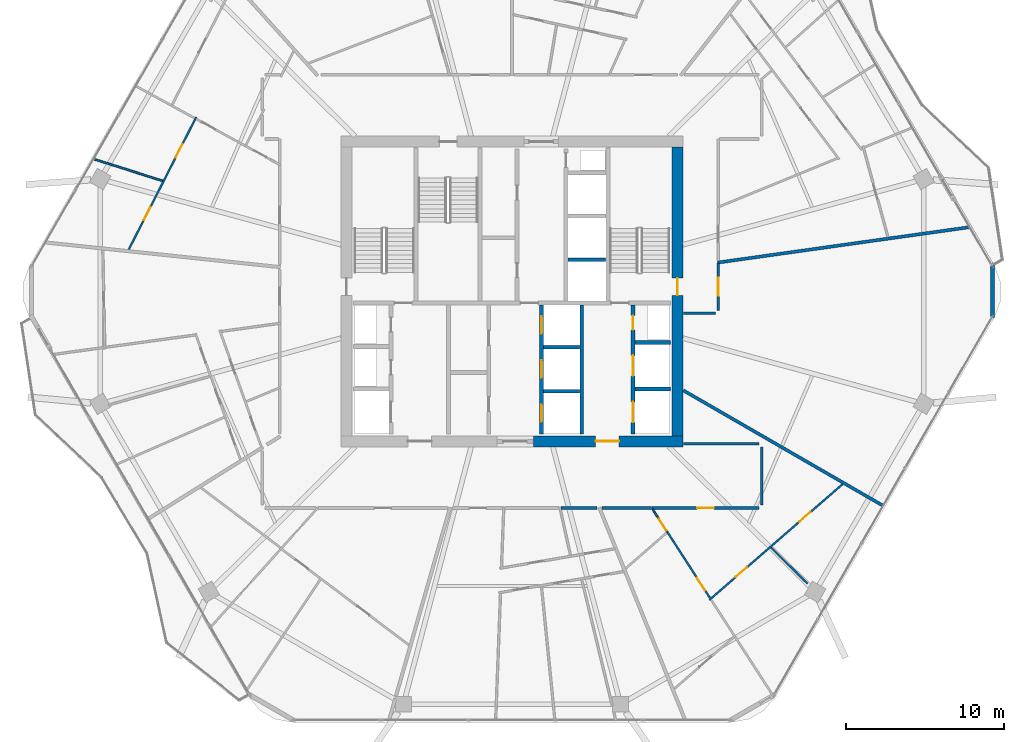
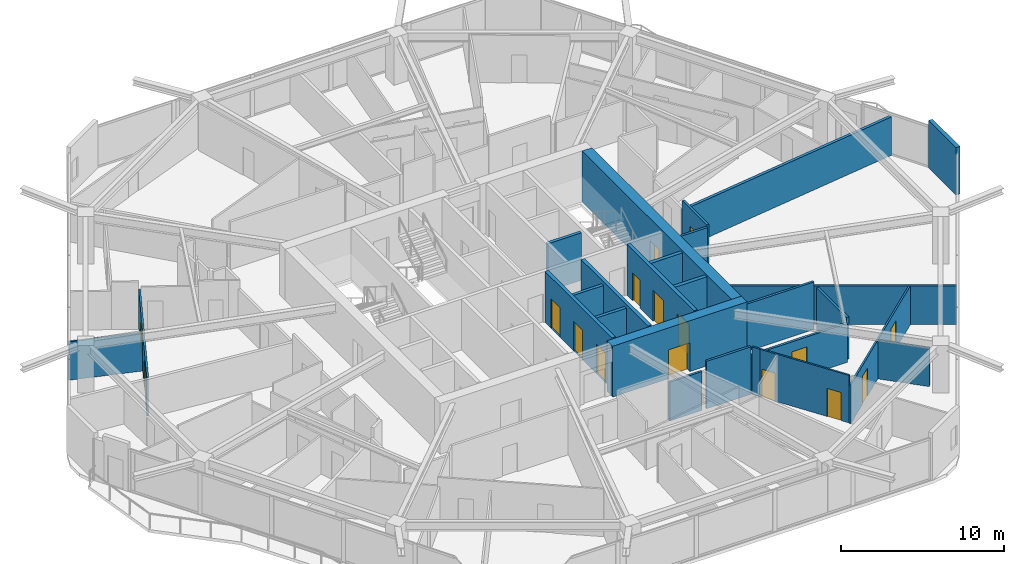
# One storey, part 20 of 26: 27 walls, 16 doors, 16 openings.
"""IFC4 building model written with IfcOpenShell, lengths in metres."""

from ifc_helpers import new_model, si_unit, direction, frame, frame_2d, origin, place, context, subcontext, project, spatial, rectangle, extrude, material, layer, layer_set, type_object, element, fill, save


model = new_model("IFC4")

# Units and contexts
model_context = context("Model", 3, precision=1e-05, world=origin(), true_north=direction((0.0, 1.0)))
body_context = subcontext(model_context, "Body", "Model", "MODEL_VIEW")
ifc_project = project(units=[si_unit("LENGTHUNIT", "METRE"), si_unit("AREAUNIT", "SQUARE_METRE"), si_unit("VOLUMEUNIT", "CUBIC_METRE"), si_unit("PLANEANGLEUNIT", "RADIAN"), si_unit("MASSUNIT", "GRAM", prefix="KILO")], contexts=[model_context])

# Site, building, storey
site_placement = place(None, origin())
site = spatial("IfcSite", under=ifc_project, at=site_placement, CompositionType="ELEMENT")
building_placement = place(site_placement, origin())
building = spatial("IfcBuilding", under=site, at=building_placement, Name="Zuhravey Tower", CompositionType="ELEMENT")
storey_placement = place(building_placement, frame((0.0, 0.0, 158.0)))
storey = spatial("IfcBuildingStorey", under=building, at=storey_placement, Name="L39", CompositionType="ELEMENT", Elevation=158.0)

# Wall, opening, door
ifc_material_1 = material(Name="Concrete C60/75", Category="concrete")
ifc_layer_1 = layer(ifc_material_1, 0.699951171875)
ifc_layer_set_1 = layer_set([ifc_layer_1], Name="Concrete C60/75")
wall_type_1 = type_object("IfcWallType", Name="Core Shear Wall 700", PredefinedType="SHEAR", material=ifc_layer_set_1)
wall_1_placement = place(storey_placement, frame((37.35009765625, 22.5, 0.0), z_axis=(0.0, 0.0, 1.0), x_axis=(1.0, 0.0, 0.0)))
wall_1 = element("IfcWall", 1, at=wall_1_placement, inside=storey, type_object=wall_type_1, Name="L39 South-East Core Shear Wall CW70", PredefinedType="SHEAR", context=body_context, shape_type="SweptSolid", body=[
    extrude(rectangle(XDim=9.5, YDim=0.699951171875, at=frame_2d((4.75, 0.0))), origin(), (0.0, 0.0, 1.0), 3.800048828125),
])
opening_1_placement = place(wall_1_placement, frame((3.949951171875, 0.0, 0.0)))
opening_1 = element("IfcOpeningElement", 2, at=opening_1_placement, cuts=wall_1, Name="Opening FFD1", PredefinedType="OPENING", context=body_context, shape_type="SweptSolid", body=[
    extrude(rectangle(XDim=1.5, YDim=2.14990234375, at=frame_2d((0.75, 1.074951171875))), frame((0.0, 0.362060546875, 0.0), z_axis=(0.0, -1.0, 0.0), x_axis=(1.0, 0.0, 0.0)), (0.0, 0.0, 1.0), 0.723876953125),
])
ifc_material_2 = material(Name="Galvanised fire-rated steel leaf", Category="steel")
door_type_1 = type_object("IfcDoorType", Name="Firefighting Lobby Double Door 1500x2150", OperationType="DOUBLE_DOOR_SINGLE_SWING", PredefinedType="DOOR", material=ifc_material_2)
door_1_placement = place(opening_1_placement, origin())
door_1 = element("IfcDoor", 3, at=door_1_placement, inside=storey, type_object=door_type_1, Name="L39 Firefighting Lobby East Door", OperationType="DOUBLE_DOOR_SINGLE_SWING", OverallHeight=2.14990234375, OverallWidth=1.5, PredefinedType="DOOR", context=body_context, shape_type="SweptSolid", body=[
    extrude(rectangle(XDim=1.5, YDim=2.14990234375, at=frame_2d((0.75, 1.074951171875))), frame((0.0, 0.02490234375, 0.0), z_axis=(0.0, -1.0, 0.0), x_axis=(1.0, 0.0, 0.0)), (0.0, 0.0, 1.0), 0.050048828125),
])
fill(opening_1, door_1)

wall_2_placement = place(storey_placement, frame((46.5, 22.85009765625, 0.0), z_axis=(0.0, 0.0, 1.0), x_axis=(0.0, 1.0, 0.0)))
wall_2 = element("IfcWall", 4, at=wall_2_placement, inside=storey, type_object=wall_type_1, Name="L39 East Core Shear Wall CW70", PredefinedType="SHEAR", context=body_context, shape_type="SweptSolid", body=[
    extrude(rectangle(XDim=18.2998046875, YDim=0.699951171875, at=frame_2d((9.14990234375, 0.0))), origin(), (0.0, 0.0, 1.0), 3.800048828125),
])
opening_2_placement = place(wall_2_placement, frame((8.89990234375, 0.0, 0.0)))
opening_2 = element("IfcOpeningElement", 5, at=opening_2_placement, cuts=wall_2, Name="Opening STD1", PredefinedType="OPENING", context=body_context, shape_type="SweptSolid", body=[
    extrude(rectangle(XDim=1.10009765625, YDim=2.14990234375, at=frame_2d((0.550048828125, 1.074951171875))), frame((0.0, 0.362060546875, 0.0), z_axis=(0.0, -1.0, 0.0), x_axis=(1.0, 0.0, 0.0)), (0.0, 0.0, 1.0), 0.723876953125),
])
door_type_2 = type_object("IfcDoorType", Name="Protected Stair Fire Door 1100x2150", OperationType="NOTDEFINED", PredefinedType="USERDEFINED", material=ifc_material_2)
door_2_placement = place(opening_2_placement, origin())
door_2 = element("IfcDoor", 6, at=door_2_placement, inside=storey, type_object=door_type_2, Name="L39 Stair ST2 Door", ObjectType="EXITDOOR", OperationType="SINGLE_SWING_RIGHT", OverallHeight=2.14990234375, OverallWidth=1.10009765625, PredefinedType="USERDEFINED", context=body_context, shape_type="SweptSolid", body=[
    extrude(rectangle(XDim=1.10009765625, YDim=2.14990234375, at=frame_2d((0.550048828125, 1.074951171875))), frame((0.0, 0.02490234375, 0.0), z_axis=(0.0, -1.0, 0.0), x_axis=(1.0, 0.0, 0.0)), (0.0, 0.0, 1.0), 0.050048828125),
])
fill(opening_2, door_2)

ifc_material_3 = material(Name="Gypsum fire-rated stud partition")
ifc_layer_2 = layer(ifc_material_3, 0.159912109375)
ifc_layer_set_2 = layer_set([ifc_layer_2], Name="Gypsum fire-rated stud partition")
wall_type_2 = type_object("IfcWallType", Name="Corridor Fire Partition 160", PredefinedType="PARTITIONING", material=ifc_layer_set_2)
wall_3_placement = place(storey_placement, frame((44.892578125, 18.27001953125, 0.0), z_axis=(0.0, 0.0, 1.0), x_axis=(1.0, 0.0, 0.0)))
wall_3 = element("IfcWall", 7, at=wall_3_placement, inside=storey, type_object=wall_type_2, Name="L39 IW16 Partition 054", PredefinedType="PARTITIONING", context=body_context, shape_type="SweptSolid", body=[
    extrude(rectangle(XDim=6.75732421875, YDim=0.159912109375, at=frame_2d((3.378662109375, 0.0))), origin(), (0.0, 0.0, 1.0), 2.89990234375),
])
opening_3_placement = place(wall_3_placement, frame((2.853759765625, 0.0, 0.0)))
opening_3 = element("IfcOpeningElement", 8, at=opening_3_placement, cuts=wall_3, Name="Opening APD1", PredefinedType="OPENING", context=body_context, shape_type="SweptSolid", body=[
    extrude(rectangle(XDim=1.050048828125, YDim=2.14990234375, at=frame_2d((0.52490234375, 1.074951171875))), frame((0.0, 0.092041015625, 0.0), z_axis=(0.0, -1.0, 0.0), x_axis=(1.0, 0.0, 0.0)), (0.0, 0.0, 1.0), 0.183837890625),
])
ifc_material_4 = material(Name="Solid-core oak fire-rated leaf")
door_type_3 = type_object("IfcDoorType", Name="Apartment Entrance Fire Door 1050x2150", OperationType="NOTDEFINED", PredefinedType="DOOR", material=ifc_material_4)
door_3_placement = place(opening_3_placement, origin())
door_3 = element("IfcDoor", 9, at=door_3_placement, inside=storey, type_object=door_type_3, Name="L39 Door 054.1", OperationType="SINGLE_SWING_RIGHT", OverallHeight=2.14990234375, OverallWidth=1.050048828125, PredefinedType="DOOR", context=body_context, shape_type="SweptSolid", body=[
    extrude(rectangle(XDim=1.050048828125, YDim=2.14990234375, at=frame_2d((0.52490234375, 1.074951171875))), frame((0.0, 0.02490234375, 0.0), z_axis=(0.0, -1.0, 0.0), x_axis=(1.0, 0.0, 0.0)), (0.0, 0.0, 1.0), 0.050048828125),
])
fill(opening_3, door_3)

wall_4_placement = place(storey_placement, frame((49.080078125, 30.800048828125, 0.0), z_axis=(0.0, 0.0, 1.0), x_axis=(0.0, 1.0, 0.0)))
wall_4 = element("IfcWall", 10, at=wall_4_placement, inside=storey, type_object=wall_type_2, Name="L39 IW16 Partition 055", PredefinedType="PARTITIONING", context=body_context, shape_type="SweptSolid", body=[
    extrude(rectangle(XDim=3.01806640625, YDim=0.159912109375, at=frame_2d((1.509033203125, 0.0))), origin(), (0.0, 0.0, 1.0), 3.550048828125),
])
opening_4_placement = place(wall_4_placement, frame((0.93408203125, 0.0, 0.0)))
opening_4 = element("IfcOpeningElement", 11, at=opening_4_placement, cuts=wall_4, Name="Opening CLD1", PredefinedType="OPENING", context=body_context, shape_type="SweptSolid", body=[
    extrude(rectangle(XDim=1.14990234375, YDim=2.199951171875, at=frame_2d((0.574951171875, 1.10009765625))), frame((0.0, 0.092041015625, 0.0), z_axis=(0.0, -1.0, 0.0), x_axis=(1.0, 0.0, 0.0)), (0.0, 0.0, 1.0), 0.183837890625),
])
ifc_material_5 = material(Name="Acoustic timber leaf with vision lite", Category="wood")
door_type_4 = type_object("IfcDoorType", Name="Classroom Acoustic Door 1150x2200", OperationType="NOTDEFINED", PredefinedType="DOOR", material=ifc_material_5)
door_4_placement = place(opening_4_placement, frame((1.14990234375, 0.0, 0.0), z_axis=(0.0, 0.0, 1.0), x_axis=(-1.0, 0.0, 0.0)))
door_4 = element("IfcDoor", 12, at=door_4_placement, inside=storey, type_object=door_type_4, Name="L39 Door 055.1", OperationType="SINGLE_SWING_LEFT", OverallHeight=2.199951171875, OverallWidth=1.14990234375, PredefinedType="DOOR", context=body_context, shape_type="SweptSolid", body=[
    extrude(rectangle(XDim=1.14990234375, YDim=2.199951171875, at=frame_2d((0.574951171875, 1.10009765625))), frame((0.0, 0.02490234375, 0.0), z_axis=(0.0, -1.0, 0.0), x_axis=(1.0, 0.0, 0.0)), (0.0, 0.0, 1.0), 0.050048828125),
])
fill(opening_4, door_4)

# Walls
wall_5_placement = place(storey_placement, frame((39.114013671875, 18.27001953125, 0.0), z_axis=(0.0, 0.0, 1.0), x_axis=(1.0, 0.0, 0.0)))
element("IfcWall", 13, at=wall_5_placement, inside=storey, type_object=wall_type_2, Name="L39 IW16 Partition 128", PredefinedType="PARTITIONING", context=body_context, shape_type="SweptSolid", body=[
    extrude(rectangle(XDim=2.27294921875, YDim=0.159912109375, at=frame_2d((1.136474609375, 0.0))), origin(), (0.0, 0.0, 1.0), 2.89990234375),
])
wall_6_placement = place(storey_placement, frame((51.64990234375, 22.330078125, 0.0), z_axis=(0.0, 0.0, 1.0), x_axis=(-1.0, 0.0, 0.0)))
element("IfcWall", 14, at=wall_6_placement, inside=storey, type_object=wall_type_2, Name="L39 IW16 Partition 129", PredefinedType="PARTITIONING", context=body_context, shape_type="SweptSolid", body=[
    extrude(rectangle(XDim=4.77978515625, YDim=0.159912109375, at=frame_2d((2.389892578125, 0.0))), origin(), (0.0, 0.0, 1.0), 3.550048828125),
])
wall_7_placement = place(storey_placement, frame((51.830078125, 18.449951171875, 0.0), z_axis=(0.0, 0.0, 1.0), x_axis=(0.0, 1.0, 0.0)))
element("IfcWall", 15, at=wall_7_placement, inside=storey, type_object=wall_type_2, Name="L39 IW16 Partition 130", PredefinedType="PARTITIONING", context=body_context, shape_type="SweptSolid", body=[
    extrude(rectangle(XDim=3.699951171875, YDim=0.159912109375, at=frame_2d((1.85009765625, 0.0))), origin(), (0.0, 0.0, 1.0), 3.14990234375),
])
wall_8_placement = place(storey_placement, frame((41.708740234375, 18.27001953125, 0.0), z_axis=(0.0, 0.0, 1.0), x_axis=(1.0, 0.0, 0.0)))
element("IfcWall", 16, at=wall_8_placement, inside=storey, type_object=wall_type_2, Name="L39 IW16 Partition 131", PredefinedType="PARTITIONING", context=body_context, shape_type="SweptSolid", body=[
    extrude(rectangle(XDim=3.13623046875, YDim=0.159912109375, at=frame_2d((1.568115234375, 0.0))), origin(), (0.0, 0.0, 1.0), 3.550048828125),
])
wall_9_placement = place(storey_placement, frame((46.8701171875, 30.6201171875, 0.0), z_axis=(0.0, 0.0, 1.0), x_axis=(1.0, 0.0, 0.0)))
element("IfcWall", 17, at=wall_9_placement, inside=storey, type_object=wall_type_2, Name="L39 IW16 Partition 132", PredefinedType="PARTITIONING", context=body_context, shape_type="SweptSolid", body=[
    extrude(rectangle(XDim=2.02978515625, YDim=0.159912109375, at=frame_2d((1.014892578125, 0.0))), origin(), (0.0, 0.0, 1.0), 3.550048828125),
])
ifc_material_6 = material(Name="Precast concrete C40/50", Category="concrete")
ifc_layer_3 = layer(ifc_material_6, 0.280029296875)
ifc_layer_set_3 = layer_set([ifc_layer_3], Name="Precast concrete C40/50")
wall_type_3 = type_object("IfcWallType", Name="Crown Architectural Wall 280", PredefinedType="SOLIDWALL", material=ifc_layer_set_3)
wall_10_placement = place(storey_placement, frame((66.4716796875, 33.6826171875, 0.0), z_axis=(0.0, 0.0, 1.0), x_axis=(0.0, -1.0, 0.0)))
element("IfcWall", 18, at=wall_10_placement, inside=storey, type_object=wall_type_3, Name="L39 Rounded Corner Closure Wall EW28-12", PredefinedType="SOLIDWALL", context=body_context, shape_type="SweptSolid", body=[
    extrude(rectangle(XDim=3.365234375, YDim=0.280029296875, at=frame_2d((1.6826171875, 0.0))), origin(), (0.0, 0.0, 1.0), 3.550048828125),
])

# Wall, openings, doors
ifc_material_7 = material(Name="Concrete C50/60", Category="concrete")
ifc_layer_4 = layer(ifc_material_7, 0.25)
ifc_layer_set_4 = layer_set([ifc_layer_4], Name="Concrete C50/60")
wall_type_4 = type_object("IfcWallType", Name="Firefighting Shaft & Stair Wall 250", PredefinedType="SOLIDWALL", material=ifc_layer_set_4)
wall_11_placement = place(storey_placement, frame((37.875, 22.949951171875, 0.0), z_axis=(0.0, 0.0, 1.0), x_axis=(0.0, 1.0, 0.0)))
wall_11 = element("IfcWall", 19, at=wall_11_placement, inside=storey, type_object=wall_type_4, Name="L39 FW25 Shaft Wall 015", PredefinedType="SOLIDWALL", context=body_context, shape_type="SweptSolid", body=[
    extrude(rectangle(XDim=8.199951171875, YDim=0.25, at=frame_2d((4.10009765625, 0.0))), origin(), (0.0, 0.0, 1.0), 3.800048828125),
])
opening_5_placement = place(wall_11_placement, frame((0.77490234375, 0.0, 0.0)))
opening_5 = element("IfcOpeningElement", 20, at=opening_5_placement, cuts=wall_11, Name="Opening LD1", PredefinedType="OPENING", context=body_context, shape_type="SweptSolid", body=[
    extrude(rectangle(XDim=1.10009765625, YDim=2.199951171875, at=frame_2d((0.550048828125, 1.10009765625))), frame((0.0, 0.136962890625, 0.0), z_axis=(0.0, -1.0, 0.0), x_axis=(1.0, 0.0, 0.0)), (0.0, 0.0, 1.0), 0.27392578125),
])
opening_6_placement = place(wall_11_placement, frame((3.574951171875, 0.0, 0.0)))
opening_6 = element("IfcOpeningElement", 21, at=opening_6_placement, cuts=wall_11, Name="Opening LD1", PredefinedType="OPENING", context=body_context, shape_type="SweptSolid", body=[
    extrude(rectangle(XDim=1.10009765625, YDim=2.199951171875, at=frame_2d((0.550048828125, 1.10009765625))), frame((0.0, 0.136962890625, 0.0), z_axis=(0.0, -1.0, 0.0), x_axis=(1.0, 0.0, 0.0)), (0.0, 0.0, 1.0), 0.27392578125),
])
opening_7_placement = place(wall_11_placement, frame((6.375, 0.0, 0.0)))
opening_7 = element("IfcOpeningElement", 22, at=opening_7_placement, cuts=wall_11, Name="Opening LD1", PredefinedType="OPENING", context=body_context, shape_type="SweptSolid", body=[
    extrude(rectangle(XDim=1.10009765625, YDim=2.199951171875, at=frame_2d((0.550048828125, 1.10009765625))), frame((0.0, 0.136962890625, 0.0), z_axis=(0.0, -1.0, 0.0), x_axis=(1.0, 0.0, 0.0)), (0.0, 0.0, 1.0), 0.27392578125),
])
ifc_material_8 = material(Name="Brushed stainless steel", Category="steel")
door_type_5 = type_object("IfcDoorType", Name="Lift Landing Sliding Door 1100x2200", OperationType="DOUBLE_DOOR_SLIDING", PredefinedType="DOOR", material=ifc_material_8)
door_5_placement = place(opening_5_placement, origin())
door_5 = element("IfcDoor", 23, at=door_5_placement, inside=storey, type_object=door_type_5, Name="L39 Lift PL4 Landing Door", OperationType="DOUBLE_DOOR_SLIDING", OverallHeight=2.199951171875, OverallWidth=1.10009765625, PredefinedType="DOOR", context=body_context, shape_type="SweptSolid", body=[
    extrude(rectangle(XDim=1.10009765625, YDim=2.199951171875, at=frame_2d((0.550048828125, 1.10009765625))), frame((0.0, 0.02490234375, 0.0), z_axis=(0.0, -1.0, 0.0), x_axis=(1.0, 0.0, 0.0)), (0.0, 0.0, 1.0), 0.050048828125),
])
fill(opening_5, door_5)
door_6_placement = place(opening_6_placement, origin())
door_6 = element("IfcDoor", 24, at=door_6_placement, inside=storey, type_object=door_type_5, Name="L39 Lift PL5 Landing Door", OperationType="DOUBLE_DOOR_SLIDING", OverallHeight=2.199951171875, OverallWidth=1.10009765625, PredefinedType="DOOR", context=body_context, shape_type="SweptSolid", body=[
    extrude(rectangle(XDim=1.10009765625, YDim=2.199951171875, at=frame_2d((0.550048828125, 1.10009765625))), frame((0.0, 0.02490234375, 0.0), z_axis=(0.0, -1.0, 0.0), x_axis=(1.0, 0.0, 0.0)), (0.0, 0.0, 1.0), 0.050048828125),
])
fill(opening_6, door_6)
door_7_placement = place(opening_7_placement, origin())
door_7 = element("IfcDoor", 25, at=door_7_placement, inside=storey, type_object=door_type_5, Name="L39 Lift PL6 Landing Door", OperationType="DOUBLE_DOOR_SLIDING", OverallHeight=2.199951171875, OverallWidth=1.10009765625, PredefinedType="DOOR", context=body_context, shape_type="SweptSolid", body=[
    extrude(rectangle(XDim=1.10009765625, YDim=2.199951171875, at=frame_2d((0.550048828125, 1.10009765625))), frame((0.0, 0.02490234375, 0.0), z_axis=(0.0, -1.0, 0.0), x_axis=(1.0, 0.0, 0.0)), (0.0, 0.0, 1.0), 0.050048828125),
])
fill(opening_7, door_7)

# Walls
wall_12_placement = place(storey_placement, frame((40.425048828125, 22.949951171875, 0.0), z_axis=(0.0, 0.0, 1.0), x_axis=(0.0, 1.0, 0.0)))
element("IfcWall", 26, at=wall_12_placement, inside=storey, type_object=wall_type_4, Name="L39 FW25 Shaft Wall 016", PredefinedType="SOLIDWALL", context=body_context, shape_type="SweptSolid", body=[
    extrude(rectangle(XDim=8.199951171875, YDim=0.25, at=frame_2d((4.10009765625, 0.0))), origin(), (0.0, 0.0, 1.0), 3.800048828125),
])
for number, where, z_axis, x_axis, name in (
    (27, (43.800048828125, 25.824951171875, 0.0), (0.0, 0.0, 1.0), (1.0, 0.0, 0.0), "L39 FW25 Shaft Wall 017"),
    (28, (43.800048828125, 28.77490234375, 0.0), (0.0, 0.0, 1.0), (1.0, 0.0, 0.0), "L39 FW25 Shaft Wall 018"),
):
    element("IfcWall", number, at=place(storey_placement, frame(where, z_axis=z_axis, x_axis=x_axis)), inside=storey, type_object=wall_type_4, Name=name, PredefinedType="SOLIDWALL", context=body_context, shape_type="SweptSolid", body=[
        extrude(rectangle(XDim=2.25, YDim=0.25, at=frame_2d((1.125, 0.0))), origin(), (0.0, 0.0, 1.0), 3.800048828125),
    ])

# Wall, openings, doors
wall_13_placement = place(storey_placement, frame((43.675048828125, 22.949951171875, 0.0), z_axis=(0.0, 0.0, 1.0), x_axis=(0.0, 1.0, 0.0)))
wall_13 = element("IfcWall", 29, at=wall_13_placement, inside=storey, type_object=wall_type_4, Name="L39 FW25 Shaft Wall 019", PredefinedType="SOLIDWALL", context=body_context, shape_type="SweptSolid", body=[
    extrude(rectangle(XDim=8.199951171875, YDim=0.25, at=frame_2d((4.10009765625, 0.0))), origin(), (0.0, 0.0, 1.0), 3.800048828125),
])
opening_8_placement = place(wall_13_placement, frame((0.75, 0.0, 0.0)))
opening_8 = element("IfcOpeningElement", 30, at=opening_8_placement, cuts=wall_13, Name="Opening LD2", PredefinedType="OPENING", context=body_context, shape_type="SweptSolid", body=[
    extrude(rectangle(XDim=1.300048828125, YDim=2.300048828125, at=frame_2d((0.64990234375, 1.14990234375))), frame((0.0, 0.136962890625, 0.0), z_axis=(0.0, -1.0, 0.0), x_axis=(1.0, 0.0, 0.0)), (0.0, 0.0, 1.0), 0.27392578125),
])
opening_9_placement = place(wall_13_placement, frame((3.699951171875, 0.0, 0.0)))
opening_9 = element("IfcOpeningElement", 31, at=opening_9_placement, cuts=wall_13, Name="Opening LD2", PredefinedType="OPENING", context=body_context, shape_type="SweptSolid", body=[
    extrude(rectangle(XDim=1.300048828125, YDim=2.300048828125, at=frame_2d((0.64990234375, 1.14990234375))), frame((0.0, 0.136962890625, 0.0), z_axis=(0.0, -1.0, 0.0), x_axis=(1.0, 0.0, 0.0)), (0.0, 0.0, 1.0), 0.27392578125),
])
opening_10_placement = place(wall_13_placement, frame((6.6201171875, 0.0, 0.0)))
opening_10 = element("IfcOpeningElement", 32, at=opening_10_placement, cuts=wall_13, Name="Opening RSD1", PredefinedType="OPENING", context=body_context, shape_type="SweptSolid", body=[
    extrude(rectangle(XDim=0.89990234375, YDim=2.10009765625, at=frame_2d((0.449951171875, 1.050048828125))), frame((0.0, 0.136962890625, 0.0), z_axis=(0.0, -1.0, 0.0), x_axis=(1.0, 0.0, 0.0)), (0.0, 0.0, 1.0), 0.27392578125),
])
door_type_6 = type_object("IfcDoorType", Name="Freight & Stretcher Lift Sliding Door 1300x2300", OperationType="DOUBLE_DOOR_SLIDING", PredefinedType="DOOR", material=ifc_material_8)
door_8_placement = place(opening_8_placement, origin())
door_8 = element("IfcDoor", 33, at=door_8_placement, inside=storey, type_object=door_type_6, Name="L39 Lift FF2 Landing Door", OperationType="DOUBLE_DOOR_SLIDING", OverallHeight=2.300048828125, OverallWidth=1.300048828125, PredefinedType="DOOR", context=body_context, shape_type="SweptSolid", body=[
    extrude(rectangle(XDim=1.300048828125, YDim=2.300048828125, at=frame_2d((0.64990234375, 1.14990234375))), frame((0.0, 0.02490234375, 0.0), z_axis=(0.0, -1.0, 0.0), x_axis=(1.0, 0.0, 0.0)), (0.0, 0.0, 1.0), 0.050048828125),
])
fill(opening_8, door_8)
door_9_placement = place(opening_9_placement, origin())
door_9 = element("IfcDoor", 34, at=door_9_placement, inside=storey, type_object=door_type_6, Name="L39 Lift SV1 Landing Door", OperationType="DOUBLE_DOOR_SLIDING", OverallHeight=2.300048828125, OverallWidth=1.300048828125, PredefinedType="DOOR", context=body_context, shape_type="SweptSolid", body=[
    extrude(rectangle(XDim=1.300048828125, YDim=2.300048828125, at=frame_2d((0.64990234375, 1.14990234375))), frame((0.0, 0.02490234375, 0.0), z_axis=(0.0, -1.0, 0.0), x_axis=(1.0, 0.0, 0.0)), (0.0, 0.0, 1.0), 0.050048828125),
])
fill(opening_9, door_9)
ifc_material_9 = material(Name="Galvanised fire-rated steel access leaf", Category="steel")
door_type_7 = type_object("IfcDoorType", Name="Riser & Shaft Access Fire Door 900x2100", OperationType="NOTDEFINED", PredefinedType="DOOR", material=ifc_material_9)
door_10_placement = place(opening_10_placement, origin())
door_10 = element("IfcDoor", 35, at=door_10_placement, inside=storey, type_object=door_type_7, Name="L39 Plumbing Riser Door", OperationType="SINGLE_SWING_RIGHT", OverallHeight=2.10009765625, OverallWidth=0.89990234375, PredefinedType="DOOR", context=body_context, shape_type="SweptSolid", body=[
    extrude(rectangle(XDim=0.89990234375, YDim=2.10009765625, at=frame_2d((0.449951171875, 1.050048828125))), frame((0.0, 0.02490234375, 0.0), z_axis=(0.0, -1.0, 0.0), x_axis=(1.0, 0.0, 0.0)), (0.0, 0.0, 1.0), 0.050048828125),
])
fill(opening_10, door_10)

# Walls
ifc_material_10 = material(Name="Gypsum double-stud party assembly")
ifc_layer_5 = layer(ifc_material_10, 0.199951171875)
ifc_layer_set_5 = layer_set([ifc_layer_5], Name="Gypsum double-stud party assembly")
wall_type_5 = type_object("IfcWallType", Name="Inter-Tenancy Party Wall 200", PredefinedType="PARTITIONING", material=ifc_layer_set_5)
wall_14_placement = place(storey_placement, frame((49.0400390625, 33.832763671875, 0.0), z_axis=(0.0, 0.0, 1.0), x_axis=(0.990268626923, 0.139169129232, 0.0)))
element("IfcWall", 36, at=wall_14_placement, inside=storey, type_object=wall_type_5, Name="L39 IW20 Partition 062", PredefinedType="PARTITIONING", context=body_context, shape_type="SweptSolid", body=[
    extrude(rectangle(XDim=16.14990234375, YDim=0.199951171875, at=frame_2d((8.074951171875, 0.0))), origin(), (0.0, 0.0, 1.0), 2.8701171875),
])
wall_15_placement = place(storey_placement, frame((46.85791015625, 25.731201171875, 0.0), z_axis=(0.0, 0.0, 1.0), x_axis=(0.866024853997, -0.500000952259, 0.0)))
element("IfcWall", 37, at=wall_15_placement, inside=storey, type_object=wall_type_5, Name="L39 IW20 Partition 110", PredefinedType="PARTITIONING", context=body_context, shape_type="SweptSolid", body=[
    extrude(rectangle(XDim=14.6455078125, YDim=0.199951171875, at=frame_2d((7.32275390625, 0.0))), origin(), (0.0, 0.0, 1.0), 2.8701171875),
])
ifc_material_11 = material(Name="Gypsum acoustic stud assembly")
ifc_layer_6 = layer(ifc_material_11, 0.219970703125)
ifc_layer_set_6 = layer_set([ifc_layer_6], Name="Gypsum acoustic stud assembly")
wall_type_6 = type_object("IfcWallType", Name="School Acoustic Compartment Wall 220", PredefinedType="PARTITIONING", material=ifc_layer_set_6)
wall_16_placement = place(storey_placement, frame((39.55810546875, 34.02490234375, 0.0), z_axis=(0.0, 0.0, 1.0), x_axis=(1.0, 0.0, 0.0)))
element("IfcWall", 38, at=wall_16_placement, inside=storey, type_object=wall_type_6, Name="L39 IW22 Partition 057", PredefinedType="PARTITIONING", context=body_context, shape_type="SweptSolid", body=[
    extrude(rectangle(XDim=2.3837890625, YDim=0.219970703125, at=frame_2d((1.19189453125, 0.0))), origin(), (0.0, 0.0, 1.0), 3.550048828125),
])
for number, where, z_axis, x_axis, name in (
    (39, (38.008056640625, 25.675048828125, 0.0), (0.0, 0.0, 1.0), (1.0, 0.0, 0.0), "L39 IW22 Partition 060"),
    (40, (38.008056640625, 28.47509765625, 0.0), (0.0, 0.0, 1.0), (1.0, 0.0, 0.0), "L39 IW22 Partition 061"),
):
    element("IfcWall", number, at=place(storey_placement, frame(where, z_axis=z_axis, x_axis=x_axis)), inside=storey, type_object=wall_type_6, Name=name, PredefinedType="PARTITIONING", context=body_context, shape_type="SweptSolid", body=[
        extrude(rectangle(XDim=2.283935546875, YDim=0.219970703125, at=frame_2d((1.14208984375, 0.0))), origin(), (0.0, 0.0, 1.0), 3.550048828125),
    ])

# Wall, openings, doors
ifc_material_12 = material(Name="Gypsum metal-stud partition")
ifc_layer_7 = layer(ifc_material_12, 0.1201171875)
ifc_layer_set_7 = layer_set([ifc_layer_7], Name="Gypsum metal-stud partition")
wall_type_7 = type_object("IfcWallType", Name="Unit Internal Partition 120", PredefinedType="PARTITIONING", material=ifc_layer_set_7)
wall_17_placement = place(storey_placement, frame((15.97119140625, 43.05224609375, 0.0), z_axis=(0.0, 0.0, 1.0), x_axis=(-0.453998461699, -0.891002467323, 0.0)))
wall_17 = element("IfcWall", 41, at=wall_17_placement, inside=storey, type_object=wall_type_7, Name="L39 IW12 Partition 032", PredefinedType="PARTITIONING", context=body_context, shape_type="SweptSolid", body=[
    extrude(rectangle(XDim=9.40966796875, YDim=0.1201171875, at=frame_2d((4.704833984375, 0.0))), origin(), (0.0, 0.0, 1.0), 2.89990234375),
])
opening_11_placement = place(wall_17_placement, frame((1.922607421875, 0.0, 0.0)))
opening_11 = element("IfcOpeningElement", 42, at=opening_11_placement, cuts=wall_17, Name="Opening IND1", PredefinedType="OPENING", context=body_context, shape_type="SweptSolid", body=[
    extrude(rectangle(XDim=0.949951171875, YDim=2.10009765625, at=frame_2d((0.47509765625, 1.050048828125))), frame((0.0, 0.072021484375, 0.0), z_axis=(0.0, -1.0, 0.0), x_axis=(1.0, 0.0, 0.0)), (0.0, 0.0, 1.0), 0.14404296875),
])
opening_12_placement = place(wall_17_placement, frame((6.385986328125, 0.0, 0.0)))
opening_12 = element("IfcOpeningElement", 43, at=opening_12_placement, cuts=wall_17, Name="Opening IND1", PredefinedType="OPENING", context=body_context, shape_type="SweptSolid", body=[
    extrude(rectangle(XDim=0.949951171875, YDim=2.10009765625, at=frame_2d((0.47509765625, 1.050048828125))), frame((0.0, 0.072021484375, 0.0), z_axis=(0.0, -1.0, 0.0), x_axis=(1.0, 0.0, 0.0)), (0.0, 0.0, 1.0), 0.14404296875),
])
ifc_material_13 = material(Name="Painted engineered timber leaf", Category="wood")
door_type_8 = type_object("IfcDoorType", Name="Internal Room & Bedroom Door 950x2100", OperationType="NOTDEFINED", PredefinedType="DOOR", material=ifc_material_13)
door_11_placement = place(opening_11_placement, frame((0.949951171875, 0.0, 0.0), z_axis=(0.0, 0.0, 1.0), x_axis=(-1.0, 0.0, 0.0)))
door_11 = element("IfcDoor", 44, at=door_11_placement, inside=storey, type_object=door_type_8, Name="Apartment L39-04 Family Study Door", OperationType="SINGLE_SWING_LEFT", OverallHeight=2.10009765625, OverallWidth=0.949951171875, PredefinedType="DOOR", context=body_context, shape_type="SweptSolid", body=[
    extrude(rectangle(XDim=0.949951171875, YDim=2.10009765625, at=frame_2d((0.47509765625, 1.050048828125))), frame((0.0, 0.02490234375, 0.0), z_axis=(0.0, -1.0, 0.0), x_axis=(1.0, 0.0, 0.0)), (0.0, 0.0, 1.0), 0.050048828125),
])
fill(opening_11, door_11)
door_12_placement = place(opening_12_placement, frame((0.949951171875, 0.0, 0.0), z_axis=(0.0, 0.0, 1.0), x_axis=(-1.0, 0.0, 0.0)))
door_12 = element("IfcDoor", 45, at=door_12_placement, inside=storey, type_object=door_type_8, Name="Apartment L39-04 Dining Room Door", OperationType="SINGLE_SWING_RIGHT", OverallHeight=2.10009765625, OverallWidth=0.949951171875, PredefinedType="DOOR", context=body_context, shape_type="SweptSolid", body=[
    extrude(rectangle(XDim=0.949951171875, YDim=2.10009765625, at=frame_2d((0.47509765625, 1.050048828125))), frame((0.0, 0.02490234375, 0.0), z_axis=(0.0, -1.0, 0.0), x_axis=(1.0, 0.0, 0.0)), (0.0, 0.0, 1.0), 0.050048828125),
])
fill(opening_12, door_12)

wall_18_placement = place(storey_placement, frame((48.5166015625, 12.4384765625, 0.0), z_axis=(0.0, 0.0, 1.0), x_axis=(0.754704710889, 0.656064630476, 0.0)))
wall_18 = element("IfcWall", 46, at=wall_18_placement, inside=storey, type_object=wall_type_7, Name="L39 IW12 Partition 049", PredefinedType="PARTITIONING", context=body_context, shape_type="SweptSolid", body=[
    extrude(rectangle(XDim=11.179931640625, YDim=0.1201171875, at=frame_2d((5.58984375, 0.0))), origin(), (0.0, 0.0, 1.0), 2.89990234375),
])
opening_13_placement = place(wall_18_placement, frame((2.2080078125, 0.0, 0.0)))
opening_13 = element("IfcOpeningElement", 47, at=opening_13_placement, cuts=wall_18, Name="Opening IND1", PredefinedType="OPENING", context=body_context, shape_type="SweptSolid", body=[
    extrude(rectangle(XDim=0.949951171875, YDim=2.10009765625, at=frame_2d((0.47509765625, 1.050048828125))), frame((0.0, 0.072021484375, 0.0), z_axis=(0.0, -1.0, 0.0), x_axis=(1.0, 0.0, 0.0)), (0.0, 0.0, 1.0), 0.14404296875),
])
opening_14_placement = place(wall_18_placement, frame((7.557861328125, 0.0, 0.0)))
opening_14 = element("IfcOpeningElement", 48, at=opening_14_placement, cuts=wall_18, Name="Opening IND1", PredefinedType="OPENING", context=body_context, shape_type="SweptSolid", body=[
    extrude(rectangle(XDim=0.949951171875, YDim=2.10009765625, at=frame_2d((0.47509765625, 1.050048828125))), frame((0.0, 0.072021484375, 0.0), z_axis=(0.0, -1.0, 0.0), x_axis=(1.0, 0.0, 0.0)), (0.0, 0.0, 1.0), 0.14404296875),
])
door_13_placement = place(opening_13_placement, frame((0.949951171875, 0.0, 0.0), z_axis=(0.0, 0.0, 1.0), x_axis=(-1.0, 0.0, 0.0)))
door_13 = element("IfcDoor", 49, at=door_13_placement, inside=storey, type_object=door_type_8, Name="Apartment L39-08 Family Study Door", OperationType="SINGLE_SWING_LEFT", OverallHeight=2.10009765625, OverallWidth=0.949951171875, PredefinedType="DOOR", context=body_context, shape_type="SweptSolid", body=[
    extrude(rectangle(XDim=0.949951171875, YDim=2.10009765625, at=frame_2d((0.47509765625, 1.050048828125))), frame((0.0, 0.02490234375, 0.0), z_axis=(0.0, -1.0, 0.0), x_axis=(1.0, 0.0, 0.0)), (0.0, 0.0, 1.0), 0.050048828125),
])
fill(opening_13, door_13)
door_14_placement = place(opening_14_placement, frame((0.949951171875, 0.0, 0.0), z_axis=(0.0, 0.0, 1.0), x_axis=(-1.0, 0.0, 0.0)))
door_14 = element("IfcDoor", 50, at=door_14_placement, inside=storey, type_object=door_type_8, Name="Apartment L39-08 Dining Room Door", OperationType="SINGLE_SWING_RIGHT", OverallHeight=2.10009765625, OverallWidth=0.949951171875, PredefinedType="DOOR", context=body_context, shape_type="SweptSolid", body=[
    extrude(rectangle(XDim=0.949951171875, YDim=2.10009765625, at=frame_2d((0.47509765625, 1.050048828125))), frame((0.0, 0.02490234375, 0.0), z_axis=(0.0, -1.0, 0.0), x_axis=(1.0, 0.0, 0.0)), (0.0, 0.0, 1.0), 0.050048828125),
])
fill(opening_14, door_14)

# Wall, opening, door
wall_19_placement = place(storey_placement, frame((45.23681640625, 17.699951171875, 0.0), z_axis=(0.0, 0.0, 1.0), x_axis=(0.542645136481, -0.839962056199, 0.0)))
wall_19 = element("IfcWall", 51, at=wall_19_placement, inside=storey, type_object=wall_type_7, Name="L39 IW12 Partition 050", PredefinedType="PARTITIONING", context=body_context, shape_type="SweptSolid", body=[
    extrude(rectangle(XDim=1.16943359375, YDim=0.1201171875, at=frame_2d((0.584716796875, 0.0))), origin(), (0.0, 0.0, 1.0), 3.550048828125),
])
opening_15_placement = place(wall_19_placement, frame((0.12109375, 0.0, 0.0)))
opening_15 = element("IfcOpeningElement", 52, at=opening_15_placement, cuts=wall_19, Name="Opening WCD1", PredefinedType="OPENING", context=body_context, shape_type="SweptSolid", body=[
    extrude(rectangle(XDim=0.89990234375, YDim=2.10009765625, at=frame_2d((0.449951171875, 1.050048828125))), frame((0.0, 0.072021484375, 0.0), z_axis=(0.0, -1.0, 0.0), x_axis=(1.0, 0.0, 0.0)), (0.0, 0.0, 1.0), 0.14404296875),
])
ifc_material_14 = material(Name="Moisture-resistant timber leaf", Category="wood")
door_type_9 = type_object("IfcDoorType", Name="Bathroom & WC Internal Door 900x2100", OperationType="NOTDEFINED", PredefinedType="DOOR", material=ifc_material_14)
door_15_placement = place(opening_15_placement, frame((0.89990234375, 0.0, 0.0), z_axis=(0.0, 0.0, 1.0), x_axis=(-1.0, 0.0, 0.0)))
door_15 = element("IfcDoor", 53, at=door_15_placement, inside=storey, type_object=door_type_9, Name="Apartment L39-08 Bathroom Door", OperationType="SINGLE_SWING_LEFT", OverallHeight=2.10009765625, OverallWidth=0.89990234375, PredefinedType="DOOR", context=body_context, shape_type="SweptSolid", body=[
    extrude(rectangle(XDim=0.89990234375, YDim=2.10009765625, at=frame_2d((0.449951171875, 1.050048828125))), frame((0.0, 0.02490234375, 0.0), z_axis=(0.0, -1.0, 0.0), x_axis=(1.0, 0.0, 0.0)), (0.0, 0.0, 1.0), 0.050048828125),
])
fill(opening_15, door_15)

wall_20_placement = place(storey_placement, frame((45.871337890625, 16.7177734375, 0.0), z_axis=(0.0, 0.0, 1.0), x_axis=(0.54259218167, -0.83999626451, 0.0)))
wall_20 = element("IfcWall", 54, at=wall_20_placement, inside=storey, type_object=wall_type_7, Name="L39 IW12 Partition 051", PredefinedType="PARTITIONING", context=body_context, shape_type="SweptSolid", body=[
    extrude(rectangle(XDim=4.94677734375, YDim=0.1201171875, at=frame_2d((2.473388671875, 0.0))), origin(), (0.0, 0.0, 1.0), 3.550048828125),
])
opening_16_placement = place(wall_20_placement, frame((3.431640625, 0.0, 0.0)))
opening_16 = element("IfcOpeningElement", 55, at=opening_16_placement, cuts=wall_20, Name="Opening IND1", PredefinedType="OPENING", context=body_context, shape_type="SweptSolid", body=[
    extrude(rectangle(XDim=0.949951171875, YDim=2.10009765625, at=frame_2d((0.47509765625, 1.050048828125))), frame((0.0, 0.072021484375, 0.0), z_axis=(0.0, -1.0, 0.0), x_axis=(1.0, 0.0, 0.0)), (0.0, 0.0, 1.0), 0.14404296875),
])
door_16_placement = place(opening_16_placement, frame((0.949951171875, 0.0, 0.0), z_axis=(0.0, 0.0, 1.0), x_axis=(-1.0, 0.0, 0.0)))
door_16 = element("IfcDoor", 56, at=door_16_placement, inside=storey, type_object=door_type_8, Name="Apartment L39-08 Home Office Door", OperationType="SINGLE_SWING_RIGHT", OverallHeight=2.10009765625, OverallWidth=0.949951171875, PredefinedType="DOOR", context=body_context, shape_type="SweptSolid", body=[
    extrude(rectangle(XDim=0.949951171875, YDim=2.10009765625, at=frame_2d((0.47509765625, 1.050048828125))), frame((0.0, 0.02490234375, 0.0), z_axis=(0.0, -1.0, 0.0), x_axis=(1.0, 0.0, 0.0)), (0.0, 0.0, 1.0), 0.050048828125),
])
fill(opening_16, door_16)

# Walls
wall_21_placement = place(storey_placement, frame((13.8388671875, 39.01708984375, 0.0), z_axis=(0.0, 0.0, 1.0), x_axis=(-0.953341211611, 0.30189490596, 0.0)))
element("IfcWall", 57, at=wall_21_placement, inside=storey, type_object=wall_type_7, Name="L39 IW12 Partition 080", PredefinedType="PARTITIONING", context=body_context, shape_type="SweptSolid", body=[
    extrude(rectangle(XDim=4.620849609375, YDim=0.1201171875, at=frame_2d((2.310546875, 0.0))), origin(), (0.0, 0.0, 1.0), 2.8701171875),
])
wall_22_placement = place(storey_placement, frame((52.433349609375, 15.753173828125, 0.0), z_axis=(0.0, 0.0, 1.0), x_axis=(0.711123375878, -0.703067240227, 0.0)))
element("IfcWall", 58, at=wall_22_placement, inside=storey, type_object=wall_type_7, Name="L39 IW12 Partition 106", PredefinedType="PARTITIONING", context=body_context, shape_type="SweptSolid", body=[
    extrude(rectangle(XDim=3.24267578125, YDim=0.1201171875, at=frame_2d((1.621337890625, 0.0))), origin(), (0.0, 0.0, 1.0), 2.89990234375),
])
wall_23_placement = place(storey_placement, frame((44.925537109375, 18.181884765625, 0.0), z_axis=(0.0, 0.0, 1.0), x_axis=(0.542562967044, -0.840015134859, 0.0)))
element("IfcWall", 59, at=wall_23_placement, inside=storey, type_object=wall_type_7, Name="L39 IW12 Partition 107", PredefinedType="PARTITIONING", context=body_context, shape_type="SweptSolid", body=[
    extrude(rectangle(XDim=0.57373046875, YDim=0.1201171875, at=frame_2d((0.286865234375, 0.0))), origin(), (0.0, 0.0, 1.0), 3.550048828125),
])

save(model, "model.ifc")
